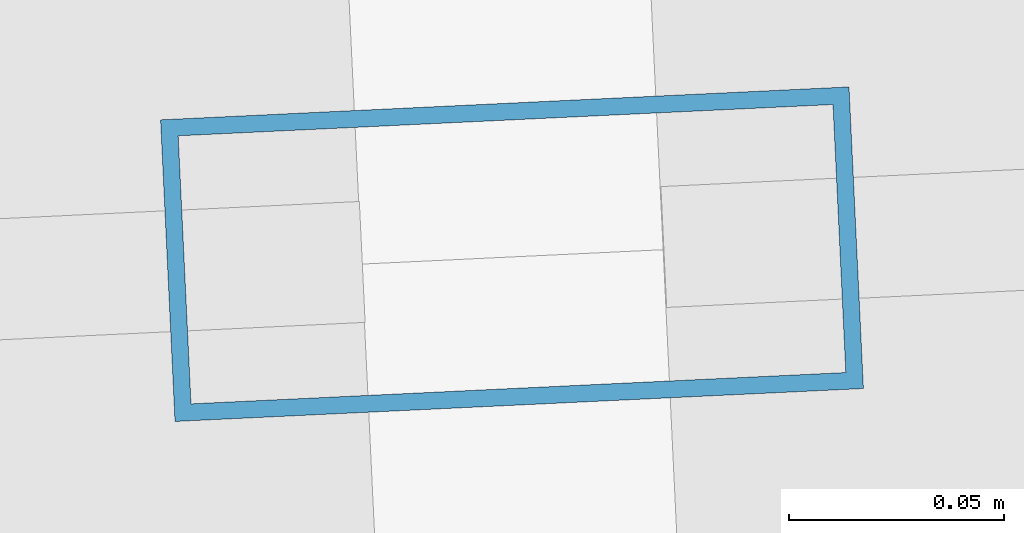
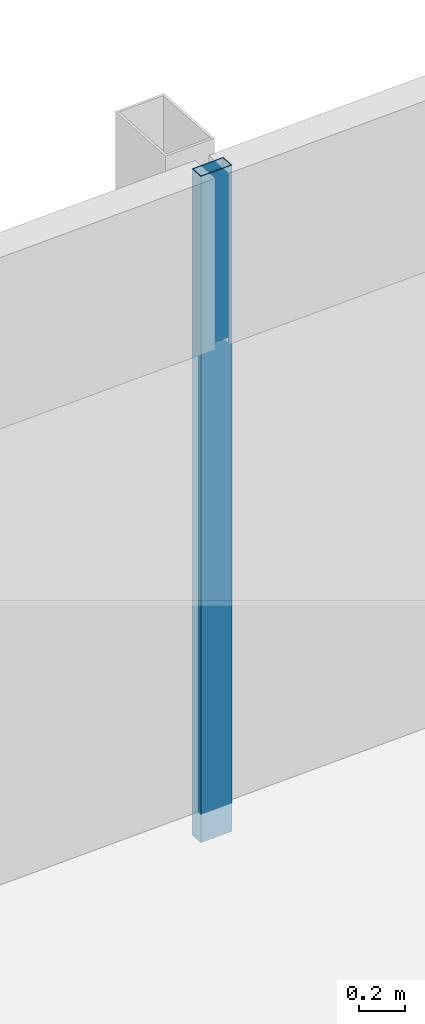
# One storey, part 19 of 37: 1 member, 1 element without a shape of its own.
"""IFC4 building model written with IfcOpenShell, lengths in metres."""

from ifc_helpers import new_model, si_unit, direction, frame, origin, origin_2d, place, context, subcontext, project, spatial, hollow_rectangle, extrude, material, material_profile, profile_set, type_object, element, aggregate, save


model = new_model("IFC4")

# Units and contexts
model_context = context("Model", 3, precision=1e-05, world=origin(), true_north=direction((0.0, 1.0)))
body_context = subcontext(model_context, "Body", "Model", "MODEL_VIEW")
ifc_project = project(units=[si_unit("LENGTHUNIT", "METRE"), si_unit("AREAUNIT", "SQUARE_METRE"), si_unit("VOLUMEUNIT", "CUBIC_METRE"), si_unit("PLANEANGLEUNIT", "RADIAN"), si_unit("MASSUNIT", "GRAM", prefix="KILO")], contexts=[model_context])

# Site, building, storey
site_placement = place(None, origin())
site = spatial("IfcSite", under=ifc_project, at=site_placement, CompositionType="ELEMENT")
building_placement = place(site_placement, origin())
building = spatial("IfcBuilding", under=site, at=building_placement, Name="Rekha Terrace Tower", CompositionType="ELEMENT")
storey_placement = place(building_placement, frame((0.0, 0.0, 228.949951171875)))
storey = spatial("IfcBuildingStorey", under=building, at=storey_placement, Name="L58", CompositionType="ELEMENT", Elevation=228.949951171875)

# Curtain wall, member
ifc_material_1 = material(Name="Aluminium framing", Category="aluminium")
curtain_wall_type = type_object("IfcCurtainWallType", Name="CW3 north unitised glazing", PredefinedType="USERDEFINED", material=ifc_material_1)
curtain_wall_placement = place(storey_placement, origin())
curtain_wall = element("IfcCurtainWall", 1, at=curtain_wall_placement, inside=storey, type_object=curtain_wall_type, Name="CW3 unitised curtain wall", ObjectType="UNITISED CURTAIN WALL", PredefinedType="USERDEFINED")
ifc_material_2 = material(Name="Aluminium mullion section", Category="aluminium")
ifc_material_profile = material_profile(ifc_material_2, hollow_rectangle(XDim=0.070068359375, YDim=0.159912109375, WallThickness=0.00390625, at=origin_2d()), Name="AL RHS 70x160")
ifc_profile_set = profile_set([ifc_material_profile], Name="Aluminium mullion section")
member_type = type_object("IfcMemberType", Name="CW3 mullion RHS 70 x 160", PredefinedType="MULLION", material=ifc_profile_set)
member_placement = place(storey_placement, frame((38.570068359375, 61.771240234375, 0.0), z_axis=(0.0, 0.0, 1.0), x_axis=(0.047758616983, -0.998858906204, 0.0)))
member = element("IfcMember", 2, at=member_placement, type_object=member_type, Name="CW3 mullion 2", PredefinedType="MULLION", context=body_context, shape_type="SweptSolid", body=[
    extrude(hollow_rectangle(XDim=0.070068359375, YDim=0.159912109375, WallThickness=0.00390625, at=origin_2d()), origin(), (0.0, 0.0, 1.0), 3.5),
])
aggregate(curtain_wall, [member])

save(model, "model.ifc")
